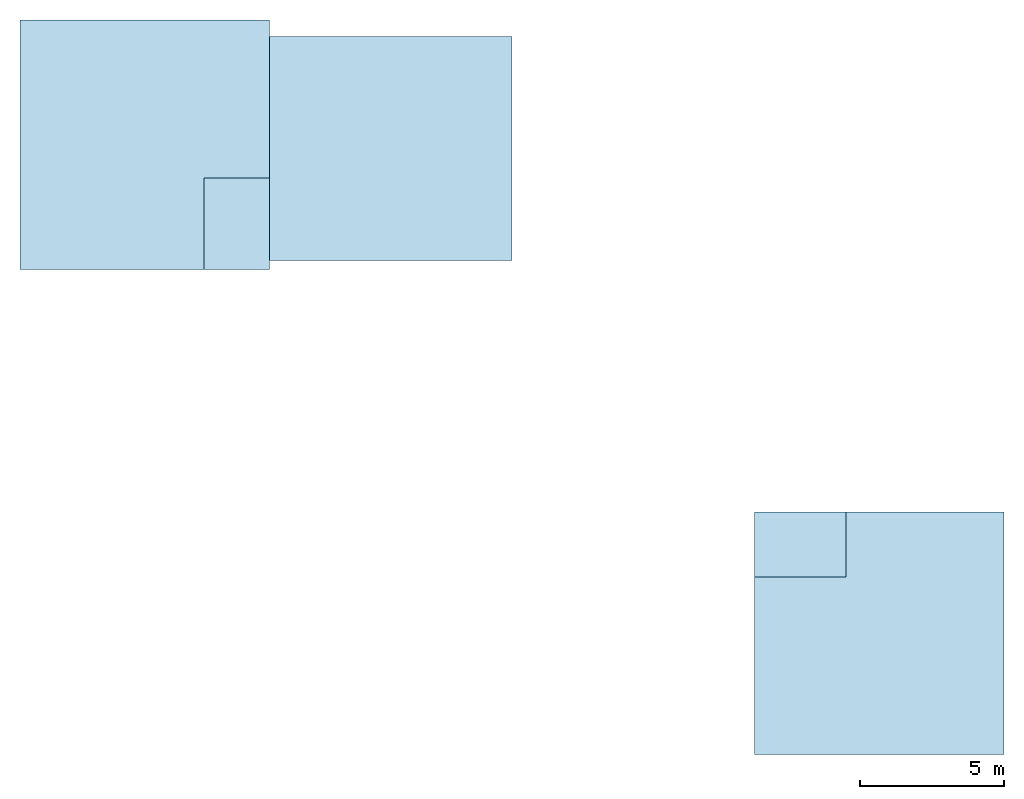
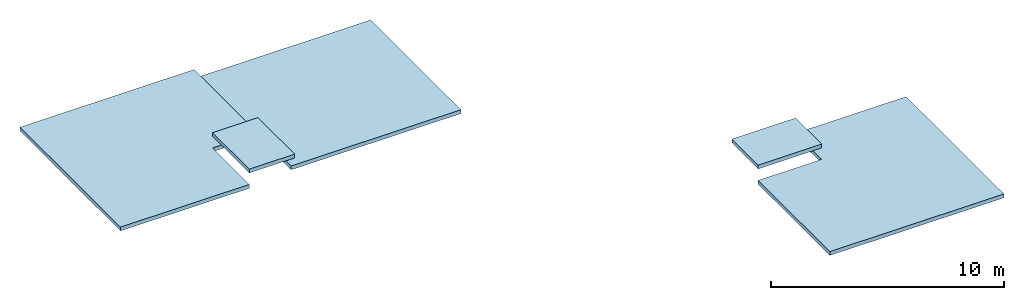
# One storey: 5 slabs.
"""IFC4 building model written with IfcOpenShell, lengths in metres."""

from ifc_helpers import new_model, si_unit, direction, frame, origin, place, context, subcontext, project, spatial, polyline, outline, extrude, material, layer, layer_set, type_object, element, save


model = new_model("IFC4")

# Units and contexts
model_context = context("Model", 3, precision=1e-05, world=origin(), true_north=direction((0.0, 1.0)))
body_context = subcontext(model_context, "Body", "Model", "MODEL_VIEW")
ifc_project = project(units=[si_unit("LENGTHUNIT", "METRE"), si_unit("AREAUNIT", "SQUARE_METRE"), si_unit("VOLUMEUNIT", "CUBIC_METRE"), si_unit("PLANEANGLEUNIT", "RADIAN"), si_unit("MASSUNIT", "GRAM", prefix="KILO")], contexts=[model_context])

# Site, building, storey
site_placement = place(None, origin())
site = spatial("IfcSite", under=ifc_project, at=site_placement, CompositionType="ELEMENT")
building_placement = place(site_placement, origin())
building = spatial("IfcBuilding", under=site, at=building_placement, Name="Ardhachandra Cancer Care Centre", CompositionType="ELEMENT")
storey_placement = place(building_placement, frame((0.0, 0.0, 30.0)))
storey = spatial("IfcBuildingStorey", under=building, at=storey_placement, Name="Head-house roof", CompositionType="ELEMENT", Elevation=30.0)

# Slabs
ifc_material = material(Name="Concrete M40", Category="concrete")
ifc_layer = layer(ifc_material, 0.199951171875)
ifc_layer_set = layer_set([ifc_layer], Name="Concrete M40")
slab_type = type_object("IfcSlabType", Name="Head-house and overrun roof slab 200", PredefinedType="ROOF", material=ifc_layer_set)
slab_1_placement = place(storey_placement, origin())
element("IfcSlab", 1, at=slab_1_placement, inside=storey, type_object=slab_type, Name="Head-house roof K12", PredefinedType="ROOF", context=body_context, shape_type="SweptSolid", body=[
    extrude(outline(polyline([(111.375, 96.60009765625), (111.375, 105.22509765625), (120.0, 105.22509765625), (120.0, 99.75), (117.75, 99.75), (117.75, 96.60009765625), (111.375, 96.60009765625)])), origin(), (0.0, 0.0, 1.0), 0.199951171875),
])
slab_2_placement = place(storey_placement, frame((0.0, 0.0, 0.800048828125)))
element("IfcSlab", 2, at=slab_2_placement, inside=storey, type_object=slab_type, Name="Lift overrun roof K12A", PredefinedType="ROOF", context=body_context, shape_type="SweptSolid", body=[
    extrude(outline(polyline([(117.75, 96.60009765625), (120.0, 96.60009765625), (120.0, 99.75), (117.75, 99.75), (117.75, 96.60009765625)])), origin(), (0.0, 0.0, 1.0), 0.199951171875),
])
slab_3_placement = place(storey_placement, origin())
element("IfcSlab", 3, at=slab_3_placement, inside=storey, type_object=slab_type, Name="Plant block roof K12", PredefinedType="ROOF", context=body_context, shape_type="SweptSolid", body=[
    extrude(outline(polyline([(120.0, 96.89990234375), (128.39990234375, 96.89990234375), (128.39990234375, 104.64990234375), (120.0, 104.64990234375), (120.0, 96.89990234375)])), origin(), (0.0, 0.0, 1.0), 0.199951171875),
])
slab_4_placement = place(storey_placement, origin())
element("IfcSlab", 4, at=slab_4_placement, inside=storey, type_object=slab_type, Name="Head-house roof K13", PredefinedType="ROOF", context=body_context, shape_type="SweptSolid", body=[
    extrude(outline(polyline([(136.800048828125, 79.800048828125), (145.425048828125, 79.800048828125), (145.425048828125, 88.199951171875), (139.949951171875, 88.199951171875), (139.949951171875, 85.949951171875), (136.800048828125, 85.949951171875), (136.800048828125, 79.800048828125)])), origin(), (0.0, 0.0, 1.0), 0.199951171875),
])
slab_5_placement = place(storey_placement, frame((0.0, 0.0, 0.800048828125)))
element("IfcSlab", 5, at=slab_5_placement, inside=storey, type_object=slab_type, Name="Lift overrun roof K13A", PredefinedType="ROOF", context=body_context, shape_type="SweptSolid", body=[
    extrude(outline(polyline([(136.800048828125, 85.949951171875), (136.800048828125, 88.199951171875), (139.949951171875, 88.199951171875), (139.949951171875, 85.949951171875), (136.800048828125, 85.949951171875)])), origin(), (0.0, 0.0, 1.0), 0.199951171875),
])

save(model, "model.ifc")
